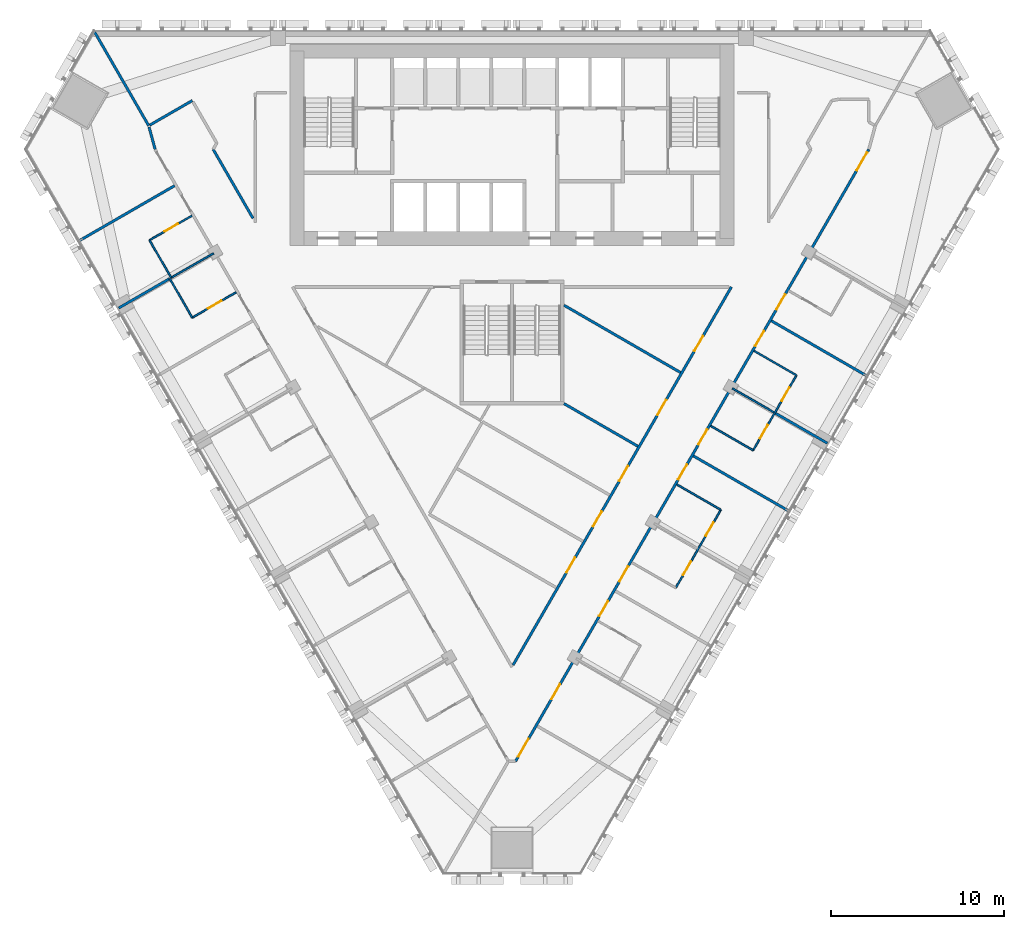
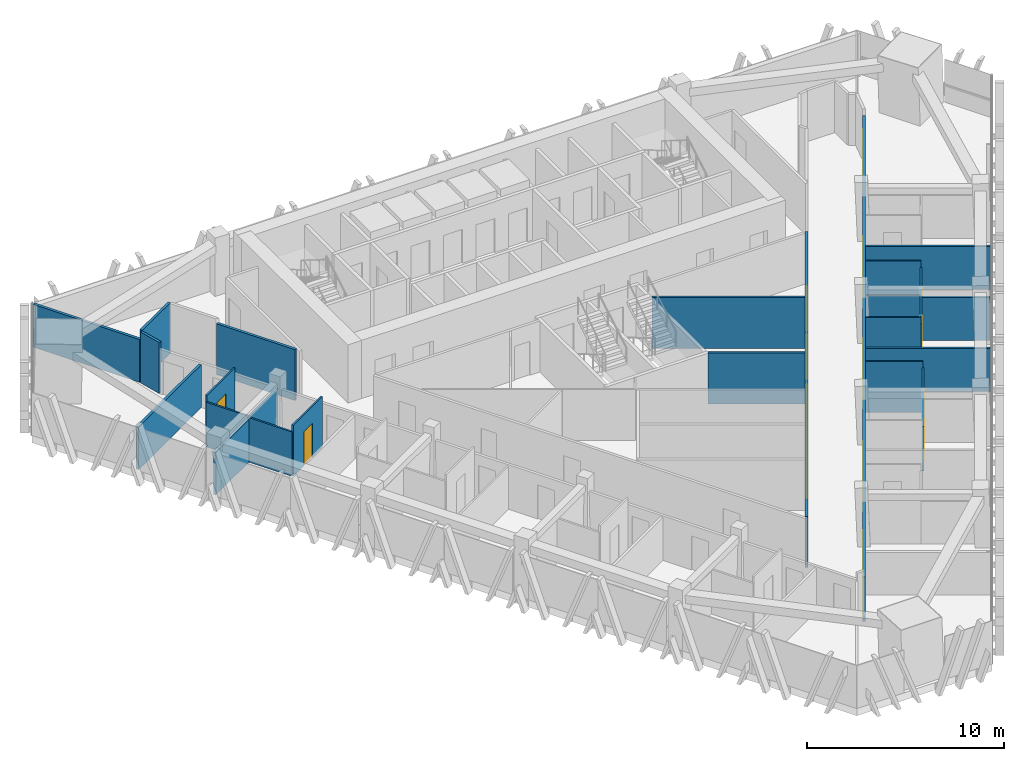
# One storey, part 10 of 16: 24 walls, 20 doors, 20 openings.
"""IFC4 building model written with IfcOpenShell, lengths in metres."""

from ifc_helpers import new_model, si_unit, direction, frame, frame_2d, origin, place, context, subcontext, project, spatial, rectangle, extrude, material, layer, layer_set, type_object, element, fill, save


model = new_model("IFC4")

# Units and contexts
model_context = context("Model", 3, precision=1e-05, world=origin(), true_north=direction((0.0, 1.0)))
body_context = subcontext(model_context, "Body", "Model", "MODEL_VIEW")
ifc_project = project(units=[si_unit("LENGTHUNIT", "METRE"), si_unit("AREAUNIT", "SQUARE_METRE"), si_unit("VOLUMEUNIT", "CUBIC_METRE"), si_unit("PLANEANGLEUNIT", "RADIAN"), si_unit("MASSUNIT", "GRAM", prefix="KILO")], contexts=[model_context])

# Site, building, storey
site_placement = place(None, origin())
site = spatial("IfcSite", under=ifc_project, at=site_placement, CompositionType="ELEMENT")
building_placement = place(site_placement, origin())
building = spatial("IfcBuilding", under=site, at=building_placement, Name="Altiplano Prism Tower", CompositionType="ELEMENT")
storey_placement = place(building_placement, frame((0.0, 0.0, 124.199951171875)))
storey = spatial("IfcBuildingStorey", under=building, at=storey_placement, Name="L31", CompositionType="ELEMENT", Elevation=124.199951171875)

# Wall
ifc_material_1 = material(Name="Plasterboard on steel stud", Category="steel")
ifc_layer_1 = layer(ifc_material_1, 0.10009765625)
ifc_layer_set_1 = layer_set([ifc_layer_1], Name="Plasterboard on steel stud")
wall_type_1 = type_object("IfcWallType", Name="Partition 100 unit", PredefinedType="PARTITIONING", material=ifc_layer_set_1)
wall_1_placement = place(storey_placement, frame((65.3408203125, 90.732177734375, 0.0), z_axis=(0.0, 0.0, 1.0), x_axis=(-0.500004234368, 0.866022959057, 0.0)))
element("IfcWall", 1, at=wall_1_placement, inside=storey, type_object=wall_type_1, Name="Partition P02 L31 036", PredefinedType="PARTITIONING", context=body_context, shape_type="SweptSolid", body=[
    extrude(rectangle(XDim=2.5, YDim=0.10009765625, at=frame_2d((1.25, 0.0))), origin(), (0.0, 0.0, 1.0), 2.75),
])

# Wall, opening, door
wall_2_placement = place(storey_placement, frame((64.0908203125, 92.897216796875, 0.0), z_axis=(0.0, 0.0, 1.0), x_axis=(0.866048868473, 0.499959355765, 0.0)))
wall_2 = element("IfcWall", 2, at=wall_2_placement, inside=storey, type_object=wall_type_1, Name="Partition P02 L31 037", PredefinedType="PARTITIONING", context=body_context, shape_type="SweptSolid", body=[
    extrude(rectangle(XDim=2.824951171875, YDim=0.10009765625, at=frame_2d((1.41259765625, 0.0))), origin(), (0.0, 0.0, 1.0), 3.150146484375),
])
opening_1_placement = place(wall_2_placement, frame((1.0, 0.0, 0.0)))
opening_1 = element("IfcOpeningElement", 3, at=opening_1_placement, cuts=wall_2, Name="Opening D1100", PredefinedType="OPENING", context=body_context, shape_type="SweptSolid", body=[
    extrude(rectangle(XDim=0.89990234375, YDim=2.10009765625, at=frame_2d((0.449951171875, 1.050048828125))), frame((0.0, 0.060546875, 0.0), z_axis=(0.0, -1.0, 0.0), x_axis=(1.0, 0.0, 0.0)), (0.0, 0.0, 1.0), 0.12109375),
])
ifc_material_2 = material(Name="Timber", Category="wood")
door_type_1 = type_object("IfcDoorType", Name="Ensuite door 900 x 2100", OperationType="NOTDEFINED", PredefinedType="NOTDEFINED", material=ifc_material_2)
door_1_placement = place(opening_1_placement, origin())
door_1 = element("IfcDoor", 4, at=door_1_placement, inside=storey, type_object=door_type_1, Name="Door D1100", OperationType="SINGLE_SWING_LEFT", OverallHeight=2.10009765625, OverallWidth=0.89990234375, PredefinedType="NOTDEFINED", context=body_context, shape_type="SweptSolid", body=[
    extrude(rectangle(XDim=0.89990234375, YDim=2.10009765625, at=frame_2d((0.449951171875, 1.050048828125))), frame((0.0, 0.02490234375, 0.0), z_axis=(0.0, -1.0, 0.0), x_axis=(1.0, 0.0, 0.0)), (0.0, 0.0, 1.0), 0.050048828125),
])
fill(opening_1, door_1)

wall_3_placement = place(storey_placement, frame((69.08740234375, 89.892822265625, 0.0), z_axis=(0.0, 0.0, 1.0), x_axis=(-0.866046596414, -0.499963291492, 0.0)))
wall_3 = element("IfcWall", 5, at=wall_3_placement, inside=storey, type_object=wall_type_1, Name="Partition P02 L31 040", PredefinedType="PARTITIONING", context=body_context, shape_type="SweptSolid", body=[
    extrude(rectangle(XDim=2.925048828125, YDim=0.10009765625, at=frame_2d((1.46240234375, 0.0))), origin(), (0.0, 0.0, 1.0), 3.150146484375),
])
opening_2_placement = place(wall_3_placement, frame((0.97509765625, 0.0, 0.0)))
opening_2 = element("IfcOpeningElement", 6, at=opening_2_placement, cuts=wall_3, Name="Opening D1102", PredefinedType="OPENING", context=body_context, shape_type="SweptSolid", body=[
    extrude(rectangle(XDim=0.89990234375, YDim=2.10009765625, at=frame_2d((0.449951171875, 1.050048828125))), frame((0.0, 0.060546875, 0.0), z_axis=(0.0, -1.0, 0.0), x_axis=(1.0, 0.0, 0.0)), (0.0, 0.0, 1.0), 0.12109375),
])
door_2_placement = place(opening_2_placement, origin())
door_2 = element("IfcDoor", 7, at=door_2_placement, inside=storey, type_object=door_type_1, Name="Door D1102", OperationType="SINGLE_SWING_LEFT", OverallHeight=2.10009765625, OverallWidth=0.89990234375, PredefinedType="NOTDEFINED", context=body_context, shape_type="SweptSolid", body=[
    extrude(rectangle(XDim=0.89990234375, YDim=2.10009765625, at=frame_2d((0.449951171875, 1.050048828125))), frame((0.0, 0.02490234375, 0.0), z_axis=(0.0, -1.0, 0.0), x_axis=(1.0, 0.0, 0.0)), (0.0, 0.0, 1.0), 0.050048828125),
])
fill(opening_2, door_2)

# Walls
wall_4_placement = place(storey_placement, frame((66.55419921875, 88.430419921875, 0.0), z_axis=(0.0, 0.0, 1.0), x_axis=(-0.499936506574, 0.866062058628, 0.0)))
element("IfcWall", 8, at=wall_4_placement, inside=storey, type_object=wall_type_1, Name="Partition P02 L31 041", PredefinedType="PARTITIONING", context=body_context, shape_type="SweptSolid", body=[
    extrude(rectangle(XDim=2.599853515625, YDim=0.10009765625, at=frame_2d((1.2998046875, 0.0))), origin(), (0.0, 0.0, 1.0), 2.75),
])
wall_5_placement = place(storey_placement, frame((94.5126953125, 78.807861328125, 0.0), z_axis=(0.0, 0.0, 1.0), x_axis=(0.865989585315, -0.500062034277, 0.0)))
element("IfcWall", 9, at=wall_5_placement, inside=storey, type_object=wall_type_1, Name="Partition P02 L31 069", PredefinedType="PARTITIONING", context=body_context, shape_type="SweptSolid", body=[
    extrude(rectangle(XDim=2.925048828125, YDim=0.10009765625, at=frame_2d((1.46240234375, 0.0))), origin(), (0.0, 0.0, 1.0), 3.150146484375),
])

# Wall, openings, doors
wall_6_placement = place(storey_placement, frame((97.045654296875, 77.34521484375, 0.0), z_axis=(0.0, 0.0, 1.0), x_axis=(-0.499992051641, -0.866029992723, 0.0)))
wall_6 = element("IfcWall", 10, at=wall_6_placement, inside=storey, type_object=wall_type_1, Name="Partition P02 L31 070", PredefinedType="PARTITIONING", context=body_context, shape_type="SweptSolid", body=[
    extrude(rectangle(XDim=5.19970703125, YDim=0.10009765625, at=frame_2d((2.599853515625, 0.0))), origin(), (0.0, 0.0, 1.0), 2.75),
])
opening_3_placement = place(wall_6_placement, frame((3.449951171875, 0.0, 0.0)))
opening_3 = element("IfcOpeningElement", 11, at=opening_3_placement, cuts=wall_6, Name="Opening D1119", PredefinedType="OPENING", context=body_context, shape_type="SweptSolid", body=[
    extrude(rectangle(XDim=0.89990234375, YDim=2.10009765625, at=frame_2d((0.449951171875, 1.050048828125))), frame((0.0, 0.060546875, 0.0), z_axis=(0.0, -1.0, 0.0), x_axis=(1.0, 0.0, 0.0)), (0.0, 0.0, 1.0), 0.12109375),
])
opening_4_placement = place(wall_6_placement, frame((0.85009765625, 0.0, 0.0)))
opening_4 = element("IfcOpeningElement", 12, at=opening_4_placement, cuts=wall_6, Name="Opening D1121", PredefinedType="OPENING", context=body_context, shape_type="SweptSolid", body=[
    extrude(rectangle(XDim=0.89990234375, YDim=2.10009765625, at=frame_2d((0.449951171875, 1.050048828125))), frame((0.0, 0.060546875, 0.0), z_axis=(0.0, -1.0, 0.0), x_axis=(1.0, 0.0, 0.0)), (0.0, 0.0, 1.0), 0.12109375),
])
door_3_placement = place(opening_3_placement, origin())
door_3 = element("IfcDoor", 13, at=door_3_placement, inside=storey, type_object=door_type_1, Name="Door D1119", OperationType="SINGLE_SWING_LEFT", OverallHeight=2.10009765625, OverallWidth=0.89990234375, PredefinedType="NOTDEFINED", context=body_context, shape_type="SweptSolid", body=[
    extrude(rectangle(XDim=0.89990234375, YDim=2.10009765625, at=frame_2d((0.449951171875, 1.050048828125))), frame((0.0, 0.02490234375, 0.0), z_axis=(0.0, -1.0, 0.0), x_axis=(1.0, 0.0, 0.0)), (0.0, 0.0, 1.0), 0.050048828125),
])
fill(opening_3, door_3)
door_4_placement = place(opening_4_placement, origin())
door_4 = element("IfcDoor", 14, at=door_4_placement, inside=storey, type_object=door_type_1, Name="Door D1121", OperationType="SINGLE_SWING_LEFT", OverallHeight=2.10009765625, OverallWidth=0.89990234375, PredefinedType="NOTDEFINED", context=body_context, shape_type="SweptSolid", body=[
    extrude(rectangle(XDim=0.89990234375, YDim=2.10009765625, at=frame_2d((0.449951171875, 1.050048828125))), frame((0.0, 0.02490234375, 0.0), z_axis=(0.0, -1.0, 0.0), x_axis=(1.0, 0.0, 0.0)), (0.0, 0.0, 1.0), 0.050048828125),
])
fill(opening_4, door_4)

# Walls
for number, where, z_axis, x_axis, name in (
    (15, (98.9091796875, 80.772705078125, 0.0), (0.0, 0.0, 1.0), (-0.866011447264, 0.500024172624, 0.0), "Partition P02 L31 072"),
    (16, (98.962646484375, 86.515380859375, 0.0), (0.0, 0.0, 1.0), (0.866048868473, -0.499959355765, 0.0), "Partition P02 L31 075"),
):
    element("IfcWall", number, at=place(storey_placement, frame(where, z_axis=z_axis, x_axis=x_axis)), inside=storey, type_object=wall_type_1, Name=name, PredefinedType="PARTITIONING", context=body_context, shape_type="SweptSolid", body=[
        extrude(rectangle(XDim=2.824951171875, YDim=0.10009765625, at=frame_2d((1.41259765625, 0.0))), origin(), (0.0, 0.0, 1.0), 3.150146484375),
    ])

# Wall, openings, doors
wall_7_placement = place(storey_placement, frame((101.4091796875, 85.10302734375, 0.0), z_axis=(0.0, 0.0, 1.0), x_axis=(-0.499983091616, -0.866035165624, 0.0)))
wall_7 = element("IfcWall", 17, at=wall_7_placement, inside=storey, type_object=wall_type_1, Name="Partition P02 L31 076", PredefinedType="PARTITIONING", context=body_context, shape_type="SweptSolid", body=[
    extrude(rectangle(XDim=5.000244140625, YDim=0.10009765625, at=frame_2d((2.5, 0.0))), origin(), (0.0, 0.0, 1.0), 2.75),
])
opening_5_placement = place(wall_7_placement, frame((3.300048828125, 0.0, 0.0)))
opening_5 = element("IfcOpeningElement", 18, at=opening_5_placement, cuts=wall_7, Name="Opening D1123", PredefinedType="OPENING", context=body_context, shape_type="SweptSolid", body=[
    extrude(rectangle(XDim=0.89990234375, YDim=2.10009765625, at=frame_2d((0.449951171875, 1.050048828125))), frame((0.0, 0.060546875, 0.0), z_axis=(0.0, -1.0, 0.0), x_axis=(1.0, 0.0, 0.0)), (0.0, 0.0, 1.0), 0.12109375),
])
opening_6_placement = place(wall_7_placement, frame((0.800048828125, 0.0, 0.0)))
opening_6 = element("IfcOpeningElement", 19, at=opening_6_placement, cuts=wall_7, Name="Opening D1125", PredefinedType="OPENING", context=body_context, shape_type="SweptSolid", body=[
    extrude(rectangle(XDim=0.89990234375, YDim=2.10009765625, at=frame_2d((0.449951171875, 1.050048828125))), frame((0.0, 0.060546875, 0.0), z_axis=(0.0, -1.0, 0.0), x_axis=(1.0, 0.0, 0.0)), (0.0, 0.0, 1.0), 0.12109375),
])
door_5_placement = place(opening_5_placement, origin())
door_5 = element("IfcDoor", 20, at=door_5_placement, inside=storey, type_object=door_type_1, Name="Door D1123", OperationType="SINGLE_SWING_RIGHT", OverallHeight=2.10009765625, OverallWidth=0.89990234375, PredefinedType="NOTDEFINED", context=body_context, shape_type="SweptSolid", body=[
    extrude(rectangle(XDim=0.89990234375, YDim=2.10009765625, at=frame_2d((0.449951171875, 1.050048828125))), frame((0.0, 0.02490234375, 0.0), z_axis=(0.0, -1.0, 0.0), x_axis=(1.0, 0.0, 0.0)), (0.0, 0.0, 1.0), 0.050048828125),
])
fill(opening_5, door_5)
door_6_placement = place(opening_6_placement, origin())
door_6 = element("IfcDoor", 21, at=door_6_placement, inside=storey, type_object=door_type_1, Name="Door D1125", OperationType="SINGLE_SWING_LEFT", OverallHeight=2.10009765625, OverallWidth=0.89990234375, PredefinedType="NOTDEFINED", context=body_context, shape_type="SweptSolid", body=[
    extrude(rectangle(XDim=0.89990234375, YDim=2.10009765625, at=frame_2d((0.449951171875, 1.050048828125))), frame((0.0, 0.02490234375, 0.0), z_axis=(0.0, -1.0, 0.0), x_axis=(1.0, 0.0, 0.0)), (0.0, 0.0, 1.0), 0.050048828125),
])
fill(opening_6, door_6)

# Walls
ifc_layer_2 = layer(ifc_material_1, 0.10009765625)
ifc_layer_set_2 = layer_set([ifc_layer_2], Name="Plasterboard on steel stud")
wall_type_2 = type_object("IfcWallType", Name="Partition 100 wet", PredefinedType="PARTITIONING", material=ifc_layer_set_2)
wall_8_placement = place(storey_placement, frame((65.323486328125, 90.72216796875, 0.0), z_axis=(0.0, 0.0, 1.0), x_axis=(0.866048401274, 0.499960165064, 0.0)))
element("IfcWall", 22, at=wall_8_placement, inside=storey, type_object=wall_type_2, Name="Partition P03 L31 039", PredefinedType="PARTITIONING", context=body_context, shape_type="SweptSolid", body=[
    extrude(rectangle(XDim=2.844970703125, YDim=0.10009765625, at=frame_2d((1.42236328125, 0.0))), origin(), (0.0, 0.0, 1.0), 2.75),
])
wall_9_placement = place(storey_placement, frame((100.11572265625, 82.962890625, 0.0), z_axis=(0.0, 0.0, 1.0), x_axis=(-0.866020020486, 0.50000932403, 0.0)))
element("IfcWall", 23, at=wall_9_placement, inside=storey, type_object=wall_type_2, Name="Partition P03 L31 074", PredefinedType="PARTITIONING", context=body_context, shape_type="SweptSolid", body=[
    extrude(rectangle(XDim=2.77490234375, YDim=0.10009765625, at=frame_2d((1.387451171875, 0.0))), origin(), (0.0, 0.0, 1.0), 2.75),
])

# Wall, openings, doors
ifc_layer_3 = layer(ifc_material_1, 0.14990234375)
ifc_layer_set_3 = layer_set([ifc_layer_3], Name="Plasterboard on steel stud")
wall_type_3 = type_object("IfcWallType", Name="Partition 150 corridor", PredefinedType="PARTITIONING", material=ifc_layer_set_3)
wall_10_placement = place(storey_placement, frame((97.65478515625, 90.199951171875, 0.0), z_axis=(0.0, 0.0, 1.0), x_axis=(-0.5000058613, -0.866022019735, 0.0)))
wall_10 = element("IfcWall", 24, at=wall_10_placement, inside=storey, type_object=wall_type_3, Name="Partition P06 L31 003", PredefinedType="PARTITIONING", context=body_context, shape_type="SweptSolid", body=[
    extrude(rectangle(XDim=25.179443359375, YDim=0.14990234375, at=frame_2d((12.58984375, 0.0))), origin(), (0.0, 0.0, 1.0), 3.150146484375),
])
opening_7_placement = place(wall_10_placement, frame((11.93896484375, 0.0, 0.0)))
opening_7 = element("IfcOpeningElement", 25, at=opening_7_placement, cuts=wall_10, Name="Opening D1096", PredefinedType="OPENING", context=body_context, shape_type="SweptSolid", body=[
    extrude(rectangle(XDim=1.0, YDim=2.10009765625, at=frame_2d((0.5, 1.050048828125))), frame((0.0, 0.08544921875, 0.0), z_axis=(0.0, -1.0, 0.0), x_axis=(1.0, 0.0, 0.0)), (0.0, 0.0, 1.0), 0.1708984375),
])
opening_8_placement = place(wall_10_placement, frame((7.51708984375, 0.0, 0.0)))
opening_8 = element("IfcOpeningElement", 26, at=opening_8_placement, cuts=wall_10, Name="Opening D1131", PredefinedType="OPENING", context=body_context, shape_type="SweptSolid", body=[
    extrude(rectangle(XDim=1.0, YDim=2.10009765625, at=frame_2d((0.5, 1.050048828125))), frame((0.0, 0.08544921875, 0.0), z_axis=(0.0, -1.0, 0.0), x_axis=(1.0, 0.0, 0.0)), (0.0, 0.0, 1.0), 0.1708984375),
])
opening_9_placement = place(wall_10_placement, frame((3.27099609375, 0.0, 0.0)))
opening_9 = element("IfcOpeningElement", 27, at=opening_9_placement, cuts=wall_10, Name="Opening D1132", PredefinedType="OPENING", context=body_context, shape_type="SweptSolid", body=[
    extrude(rectangle(XDim=1.0, YDim=2.10009765625, at=frame_2d((0.5, 1.050048828125))), frame((0.0, 0.08544921875, 0.0), z_axis=(0.0, -1.0, 0.0), x_axis=(1.0, 0.0, 0.0)), (0.0, 0.0, 1.0), 0.1708984375),
])
opening_10_placement = place(wall_10_placement, frame((14.949951171875, 0.0, 0.0)))
opening_10 = element("IfcOpeningElement", 28, at=opening_10_placement, cuts=wall_10, Name="Opening D1133", PredefinedType="OPENING", context=body_context, shape_type="SweptSolid", body=[
    extrude(rectangle(XDim=1.0, YDim=2.10009765625, at=frame_2d((0.5, 1.050048828125))), frame((0.0, 0.08544921875, 0.0), z_axis=(0.0, -1.0, 0.0), x_axis=(1.0, 0.0, 0.0)), (0.0, 0.0, 1.0), 0.1708984375),
])
opening_11_placement = place(wall_10_placement, frame((18.032958984375, 0.0, 0.0)))
opening_11 = element("IfcOpeningElement", 29, at=opening_11_placement, cuts=wall_10, Name="Opening D1134", PredefinedType="OPENING", context=body_context, shape_type="SweptSolid", body=[
    extrude(rectangle(XDim=1.0, YDim=2.10009765625, at=frame_2d((0.5, 1.050048828125))), frame((0.0, 0.08544921875, 0.0), z_axis=(0.0, -1.0, 0.0), x_axis=(1.0, 0.0, 0.0)), (0.0, 0.0, 1.0), 0.1708984375),
])
door_type_2 = type_object("IfcDoorType", Name="Room door 1000 x 2100", OperationType="NOTDEFINED", PredefinedType="NOTDEFINED", material=ifc_material_2)
door_7_placement = place(opening_9_placement, origin())
door_7 = element("IfcDoor", 30, at=door_7_placement, inside=storey, type_object=door_type_2, Name="Door D1132", OperationType="SINGLE_SWING_RIGHT", OverallHeight=2.10009765625, OverallWidth=1.0, PredefinedType="NOTDEFINED", context=body_context, shape_type="SweptSolid", body=[
    extrude(rectangle(XDim=1.0, YDim=2.10009765625, at=frame_2d((0.5, 1.050048828125))), frame((0.0, 0.02490234375, 0.0), z_axis=(0.0, -1.0, 0.0), x_axis=(1.0, 0.0, 0.0)), (0.0, 0.0, 1.0), 0.050048828125),
])
fill(opening_9, door_7)
door_8_placement = place(opening_10_placement, origin())
door_8 = element("IfcDoor", 31, at=door_8_placement, inside=storey, type_object=door_type_2, Name="Door D1133", OperationType="SINGLE_SWING_RIGHT", OverallHeight=2.10009765625, OverallWidth=1.0, PredefinedType="NOTDEFINED", context=body_context, shape_type="SweptSolid", body=[
    extrude(rectangle(XDim=1.0, YDim=2.10009765625, at=frame_2d((0.5, 1.050048828125))), frame((0.0, 0.02490234375, 0.0), z_axis=(0.0, -1.0, 0.0), x_axis=(1.0, 0.0, 0.0)), (0.0, 0.0, 1.0), 0.050048828125),
])
fill(opening_10, door_8)
door_type_3 = type_object("IfcDoorType", Name="Store door 1000 x 2100", OperationType="NOTDEFINED", PredefinedType="NOTDEFINED", material=ifc_material_2)
door_9_placement = place(opening_7_placement, origin())
door_9 = element("IfcDoor", 32, at=door_9_placement, inside=storey, type_object=door_type_3, Name="Door D1096", OperationType="SINGLE_SWING_LEFT", OverallHeight=2.10009765625, OverallWidth=1.0, PredefinedType="NOTDEFINED", context=body_context, shape_type="SweptSolid", body=[
    extrude(rectangle(XDim=1.0, YDim=2.10009765625, at=frame_2d((0.5, 1.050048828125))), frame((0.0, 0.02490234375, 0.0), z_axis=(0.0, -1.0, 0.0), x_axis=(1.0, 0.0, 0.0)), (0.0, 0.0, 1.0), 0.050048828125),
])
fill(opening_7, door_9)
door_10_placement = place(opening_8_placement, origin())
door_10 = element("IfcDoor", 33, at=door_10_placement, inside=storey, type_object=door_type_3, Name="Door D1131", OperationType="SINGLE_SWING_RIGHT", OverallHeight=2.10009765625, OverallWidth=1.0, PredefinedType="NOTDEFINED", context=body_context, shape_type="SweptSolid", body=[
    extrude(rectangle(XDim=1.0, YDim=2.10009765625, at=frame_2d((0.5, 1.050048828125))), frame((0.0, 0.02490234375, 0.0), z_axis=(0.0, -1.0, 0.0), x_axis=(1.0, 0.0, 0.0)), (0.0, 0.0, 1.0), 0.050048828125),
])
fill(opening_8, door_10)
door_11_placement = place(opening_11_placement, origin())
door_11 = element("IfcDoor", 34, at=door_11_placement, inside=storey, type_object=door_type_3, Name="Door D1134", OperationType="SINGLE_SWING_RIGHT", OverallHeight=2.10009765625, OverallWidth=1.0, PredefinedType="NOTDEFINED", context=body_context, shape_type="SweptSolid", body=[
    extrude(rectangle(XDim=1.0, YDim=2.10009765625, at=frame_2d((0.5, 1.050048828125))), frame((0.0, 0.02490234375, 0.0), z_axis=(0.0, -1.0, 0.0), x_axis=(1.0, 0.0, 0.0)), (0.0, 0.0, 1.0), 0.050048828125),
])
fill(opening_11, door_11)

# Wall
wall_11_placement = place(storey_placement, frame((64.0625, 99.429931640625, 0.0), z_axis=(0.0, 0.0, 1.0), x_axis=(0.261989498523, -0.965070724177, 0.0)))
element("IfcWall", 35, at=wall_11_placement, inside=storey, type_object=wall_type_3, Name="Partition P06 L31 004", PredefinedType="PARTITIONING", context=body_context, shape_type="SweptSolid", body=[
    extrude(rectangle(XDim=1.337158203125, YDim=0.14990234375, at=frame_2d((0.66845703125, 0.0))), origin(), (0.0, 0.0, 1.0), 3.150146484375),
])

# Wall, openings, doors
wall_12_placement = place(storey_placement, frame((85.208251953125, 62.842041015625, 0.0), z_axis=(0.0, 0.0, 1.0), x_axis=(0.499999338616, 0.866025785634, 0.0)))
wall_12 = element("IfcWall", 36, at=wall_12_placement, inside=storey, type_object=wall_type_3, Name="Partition P06 L31 007", PredefinedType="PARTITIONING", context=body_context, shape_type="SweptSolid", body=[
    extrude(rectangle(XDim=40.7578125, YDim=0.14990234375, at=frame_2d((20.37890625, 0.0))), origin(), (0.0, 0.0, 1.0), 2.75),
])
opening_12_placement = place(wall_12_placement, frame((0.294921875, 0.0, 0.0)))
opening_12 = element("IfcOpeningElement", 37, at=opening_12_placement, cuts=wall_12, Name="Opening D1114", PredefinedType="OPENING", context=body_context, shape_type="SweptSolid", body=[
    extrude(rectangle(XDim=1.199951171875, YDim=2.10009765625, at=frame_2d((0.60009765625, 1.050048828125))), frame((0.0, 0.08544921875, 0.0), z_axis=(0.0, -1.0, 0.0), x_axis=(1.0, 0.0, 0.0)), (0.0, 0.0, 1.0), 0.1708984375),
])
opening_13_placement = place(wall_12_placement, frame((4.12890625, 0.0, 0.0)))
opening_13 = element("IfcOpeningElement", 38, at=opening_13_placement, cuts=wall_12, Name="Opening D1115", PredefinedType="OPENING", context=body_context, shape_type="SweptSolid", body=[
    extrude(rectangle(XDim=1.0, YDim=2.10009765625, at=frame_2d((0.5, 1.050048828125))), frame((0.0, 0.08544921875, 0.0), z_axis=(0.0, -1.0, 0.0), x_axis=(1.0, 0.0, 0.0)), (0.0, 0.0, 1.0), 0.1708984375),
])
opening_14_placement = place(wall_12_placement, frame((9.658935546875, 0.0, 0.0)))
opening_14 = element("IfcOpeningElement", 39, at=opening_14_placement, cuts=wall_12, Name="Opening D1116", PredefinedType="OPENING", context=body_context, shape_type="SweptSolid", body=[
    extrude(rectangle(XDim=1.0, YDim=2.10009765625, at=frame_2d((0.5, 1.050048828125))), frame((0.0, 0.08544921875, 0.0), z_axis=(0.0, -1.0, 0.0), x_axis=(1.0, 0.0, 0.0)), (0.0, 0.0, 1.0), 0.1708984375),
])
opening_15_placement = place(wall_12_placement, frame((11.98388671875, 0.0, 0.0)))
opening_15 = element("IfcOpeningElement", 40, at=opening_15_placement, cuts=wall_12, Name="Opening D1118", PredefinedType="OPENING", context=body_context, shape_type="SweptSolid", body=[
    extrude(rectangle(XDim=1.0, YDim=2.10009765625, at=frame_2d((0.5, 1.050048828125))), frame((0.0, 0.08544921875, 0.0), z_axis=(0.0, -1.0, 0.0), x_axis=(1.0, 0.0, 0.0)), (0.0, 0.0, 1.0), 0.1708984375),
])
opening_16_placement = place(wall_12_placement, frame((18.77392578125, 0.0, 0.0)))
opening_16 = element("IfcOpeningElement", 41, at=opening_16_placement, cuts=wall_12, Name="Opening D1120", PredefinedType="OPENING", context=body_context, shape_type="SweptSolid", body=[
    extrude(rectangle(XDim=1.0, YDim=2.10009765625, at=frame_2d((0.5, 1.050048828125))), frame((0.0, 0.08544921875, 0.0), z_axis=(0.0, -1.0, 0.0), x_axis=(1.0, 0.0, 0.0)), (0.0, 0.0, 1.0), 0.1708984375),
])
opening_17_placement = place(wall_12_placement, frame((21.09912109375, 0.0, 0.0)))
opening_17 = element("IfcOpeningElement", 42, at=opening_17_placement, cuts=wall_12, Name="Opening D1122", PredefinedType="OPENING", context=body_context, shape_type="SweptSolid", body=[
    extrude(rectangle(XDim=1.0, YDim=2.10009765625, at=frame_2d((0.5, 1.050048828125))), frame((0.0, 0.08544921875, 0.0), z_axis=(0.0, -1.0, 0.0), x_axis=(1.0, 0.0, 0.0)), (0.0, 0.0, 1.0), 0.1708984375),
])
opening_18_placement = place(wall_12_placement, frame((27.658935546875, 0.0, 0.0)))
opening_18 = element("IfcOpeningElement", 43, at=opening_18_placement, cuts=wall_12, Name="Opening D1124", PredefinedType="OPENING", context=body_context, shape_type="SweptSolid", body=[
    extrude(rectangle(XDim=1.0, YDim=2.10009765625, at=frame_2d((0.5, 1.050048828125))), frame((0.0, 0.08544921875, 0.0), z_axis=(0.0, -1.0, 0.0), x_axis=(1.0, 0.0, 0.0)), (0.0, 0.0, 1.0), 0.1708984375),
])
opening_19_placement = place(wall_12_placement, frame((30.09912109375, 0.0, 0.0)))
opening_19 = element("IfcOpeningElement", 44, at=opening_19_placement, cuts=wall_12, Name="Opening D1126", PredefinedType="OPENING", context=body_context, shape_type="SweptSolid", body=[
    extrude(rectangle(XDim=1.0, YDim=2.10009765625, at=frame_2d((0.5, 1.050048828125))), frame((0.0, 0.08544921875, 0.0), z_axis=(0.0, -1.0, 0.0), x_axis=(1.0, 0.0, 0.0)), (0.0, 0.0, 1.0), 0.1708984375),
])
opening_20_placement = place(wall_12_placement, frame((39.35791015625, 0.0, 0.0)))
opening_20 = element("IfcOpeningElement", 45, at=opening_20_placement, cuts=wall_12, Name="Opening D1128", PredefinedType="OPENING", context=body_context, shape_type="SweptSolid", body=[
    extrude(rectangle(XDim=1.199951171875, YDim=2.10009765625, at=frame_2d((0.60009765625, 1.050048828125))), frame((0.0, 0.08544921875, 0.0), z_axis=(0.0, -1.0, 0.0), x_axis=(1.0, 0.0, 0.0)), (0.0, 0.0, 1.0), 0.1708984375),
])
door_type_4 = type_object("IfcDoorType", Name="Bedroom entrance door 1000 x 2100", OperationType="NOTDEFINED", PredefinedType="NOTDEFINED", material=ifc_material_2)
door_12_placement = place(opening_14_placement, origin())
door_12 = element("IfcDoor", 46, at=door_12_placement, inside=storey, type_object=door_type_4, Name="Door D1116", OperationType="SINGLE_SWING_RIGHT", OverallHeight=2.10009765625, OverallWidth=1.0, PredefinedType="NOTDEFINED", context=body_context, shape_type="SweptSolid", body=[
    extrude(rectangle(XDim=1.0, YDim=2.10009765625, at=frame_2d((0.5, 1.050048828125))), frame((0.0, 0.02490234375, 0.0), z_axis=(0.0, -1.0, 0.0), x_axis=(1.0, 0.0, 0.0)), (0.0, 0.0, 1.0), 0.050048828125),
])
fill(opening_14, door_12)
door_13_placement = place(opening_15_placement, origin())
door_13 = element("IfcDoor", 47, at=door_13_placement, inside=storey, type_object=door_type_4, Name="Door D1118", OperationType="SINGLE_SWING_RIGHT", OverallHeight=2.10009765625, OverallWidth=1.0, PredefinedType="NOTDEFINED", context=body_context, shape_type="SweptSolid", body=[
    extrude(rectangle(XDim=1.0, YDim=2.10009765625, at=frame_2d((0.5, 1.050048828125))), frame((0.0, 0.02490234375, 0.0), z_axis=(0.0, -1.0, 0.0), x_axis=(1.0, 0.0, 0.0)), (0.0, 0.0, 1.0), 0.050048828125),
])
fill(opening_15, door_13)
door_14_placement = place(opening_16_placement, origin())
door_14 = element("IfcDoor", 48, at=door_14_placement, inside=storey, type_object=door_type_4, Name="Door D1120", OperationType="SINGLE_SWING_LEFT", OverallHeight=2.10009765625, OverallWidth=1.0, PredefinedType="NOTDEFINED", context=body_context, shape_type="SweptSolid", body=[
    extrude(rectangle(XDim=1.0, YDim=2.10009765625, at=frame_2d((0.5, 1.050048828125))), frame((0.0, 0.02490234375, 0.0), z_axis=(0.0, -1.0, 0.0), x_axis=(1.0, 0.0, 0.0)), (0.0, 0.0, 1.0), 0.050048828125),
])
fill(opening_16, door_14)
door_15_placement = place(opening_17_placement, origin())
door_15 = element("IfcDoor", 49, at=door_15_placement, inside=storey, type_object=door_type_4, Name="Door D1122", OperationType="SINGLE_SWING_RIGHT", OverallHeight=2.10009765625, OverallWidth=1.0, PredefinedType="NOTDEFINED", context=body_context, shape_type="SweptSolid", body=[
    extrude(rectangle(XDim=1.0, YDim=2.10009765625, at=frame_2d((0.5, 1.050048828125))), frame((0.0, 0.02490234375, 0.0), z_axis=(0.0, -1.0, 0.0), x_axis=(1.0, 0.0, 0.0)), (0.0, 0.0, 1.0), 0.050048828125),
])
fill(opening_17, door_15)
door_16_placement = place(opening_18_placement, origin())
door_16 = element("IfcDoor", 50, at=door_16_placement, inside=storey, type_object=door_type_4, Name="Door D1124", OperationType="SINGLE_SWING_LEFT", OverallHeight=2.10009765625, OverallWidth=1.0, PredefinedType="NOTDEFINED", context=body_context, shape_type="SweptSolid", body=[
    extrude(rectangle(XDim=1.0, YDim=2.10009765625, at=frame_2d((0.5, 1.050048828125))), frame((0.0, 0.02490234375, 0.0), z_axis=(0.0, -1.0, 0.0), x_axis=(1.0, 0.0, 0.0)), (0.0, 0.0, 1.0), 0.050048828125),
])
fill(opening_18, door_16)
door_17_placement = place(opening_19_placement, origin())
door_17 = element("IfcDoor", 51, at=door_17_placement, inside=storey, type_object=door_type_4, Name="Door D1126", OperationType="SINGLE_SWING_LEFT", OverallHeight=2.10009765625, OverallWidth=1.0, PredefinedType="NOTDEFINED", context=body_context, shape_type="SweptSolid", body=[
    extrude(rectangle(XDim=1.0, YDim=2.10009765625, at=frame_2d((0.5, 1.050048828125))), frame((0.0, 0.02490234375, 0.0), z_axis=(0.0, -1.0, 0.0), x_axis=(1.0, 0.0, 0.0)), (0.0, 0.0, 1.0), 0.050048828125),
])
fill(opening_19, door_17)
door_18_placement = place(opening_13_placement, origin())
door_18 = element("IfcDoor", 52, at=door_18_placement, inside=storey, type_object=door_type_2, Name="Door D1115", OperationType="SINGLE_SWING_LEFT", OverallHeight=2.10009765625, OverallWidth=1.0, PredefinedType="NOTDEFINED", context=body_context, shape_type="SweptSolid", body=[
    extrude(rectangle(XDim=1.0, YDim=2.10009765625, at=frame_2d((0.5, 1.050048828125))), frame((0.0, 0.02490234375, 0.0), z_axis=(0.0, -1.0, 0.0), x_axis=(1.0, 0.0, 0.0)), (0.0, 0.0, 1.0), 0.050048828125),
])
fill(opening_13, door_18)
door_type_5 = type_object("IfcDoorType", Name="Shared room door 1200 x 2100", OperationType="NOTDEFINED", PredefinedType="NOTDEFINED", material=ifc_material_2)
door_19_placement = place(opening_12_placement, origin())
door_19 = element("IfcDoor", 53, at=door_19_placement, inside=storey, type_object=door_type_5, Name="Door D1114", OperationType="SINGLE_SWING_LEFT", OverallHeight=2.10009765625, OverallWidth=1.199951171875, PredefinedType="NOTDEFINED", context=body_context, shape_type="SweptSolid", body=[
    extrude(rectangle(XDim=1.199951171875, YDim=2.10009765625, at=frame_2d((0.60009765625, 1.050048828125))), frame((0.0, 0.02490234375, 0.0), z_axis=(0.0, -1.0, 0.0), x_axis=(1.0, 0.0, 0.0)), (0.0, 0.0, 1.0), 0.050048828125),
])
fill(opening_12, door_19)
door_20_placement = place(opening_20_placement, origin())
door_20 = element("IfcDoor", 54, at=door_20_placement, inside=storey, type_object=door_type_5, Name="Door D1128", OperationType="SINGLE_SWING_LEFT", OverallHeight=2.10009765625, OverallWidth=1.199951171875, PredefinedType="NOTDEFINED", context=body_context, shape_type="SweptSolid", body=[
    extrude(rectangle(XDim=1.199951171875, YDim=2.10009765625, at=frame_2d((0.60009765625, 1.050048828125))), frame((0.0, 0.02490234375, 0.0), z_axis=(0.0, -1.0, 0.0), x_axis=(1.0, 0.0, 0.0)), (0.0, 0.0, 1.0), 0.050048828125),
])
fill(opening_20, door_20)

# Walls
wall_13_placement = place(storey_placement, frame((70.06005859375, 94.158203125, 0.0), z_axis=(0.0, 0.0, 1.0), x_axis=(-0.500005941123, 0.866021973648, 0.0)))
element("IfcWall", 55, at=wall_13_placement, inside=storey, type_object=wall_type_3, Name="Partition P06 L31 011", PredefinedType="PARTITIONING", context=body_context, shape_type="SweptSolid", body=[
    extrude(rectangle(XDim=4.59716796875, YDim=0.14990234375, at=frame_2d((2.298583984375, 0.0))), origin(), (0.0, 0.0, 1.0), 3.150146484375),
])
wall_14_placement = place(storey_placement, frame((66.55517578125, 100.949951171875, 0.0), z_axis=(0.0, 0.0, 1.0), x_axis=(-0.866048868473, -0.499959355765, 0.0)))
element("IfcWall", 56, at=wall_14_placement, inside=storey, type_object=wall_type_3, Name="Partition P06 L31 014", PredefinedType="PARTITIONING", context=body_context, shape_type="SweptSolid", body=[
    extrude(rectangle(XDim=2.824951171875, YDim=0.14990234375, at=frame_2d((1.41259765625, 0.0))), origin(), (0.0, 0.0, 1.0), 3.150146484375),
])
ifc_layer_4 = layer(ifc_material_1, 0.14990234375)
ifc_layer_set_4 = layer_set([ifc_layer_4], Name="Plasterboard on steel stud")
wall_type_4 = type_object("IfcWallType", Name="Partition 150 party", PredefinedType="PARTITIONING", material=ifc_layer_set_4)
wall_15_placement = place(storey_placement, frame((92.261962890625, 81.009521484375, 0.0), z_axis=(0.0, 0.0, 1.0), x_axis=(-0.866021185894, 0.500007305529, 0.0)))
element("IfcWall", 57, at=wall_15_placement, inside=storey, type_object=wall_type_4, Name="Partition P01 L31 031", PredefinedType="PARTITIONING", context=body_context, shape_type="SweptSolid", body=[
    extrude(rectangle(XDim=4.92138671875, YDim=0.14990234375, at=frame_2d((2.460693359375, 0.0))), origin(), (0.0, 0.0, 1.0), 3.150146484375),
])
wall_16_placement = place(storey_placement, frame((60.042236328125, 92.869140625, 0.0), z_axis=(0.0, 0.0, 1.0), x_axis=(0.866025401434, 0.500000004071, 0.0)))
element("IfcWall", 58, at=wall_16_placement, inside=storey, type_object=wall_type_4, Name="Partition P01 L31 034", PredefinedType="PARTITIONING", context=body_context, shape_type="SweptSolid", body=[
    extrude(rectangle(XDim=6.34521484375, YDim=0.14990234375, at=frame_2d((3.172607421875, 0.0))), origin(), (0.0, 0.0, 1.0), 2.650146484375),
])
wall_17_placement = place(storey_placement, frame((64.043701171875, 99.5, 0.0), z_axis=(0.0, 0.0, 1.0), x_axis=(-0.500004896655, 0.866022576681, 0.0)))
element("IfcWall", 59, at=wall_17_placement, inside=storey, type_object=wall_type_4, Name="Partition P01 L31 035", PredefinedType="PARTITIONING", context=body_context, shape_type="SweptSolid", body=[
    extrude(rectangle(XDim=6.2353515625, YDim=0.14990234375, at=frame_2d((3.11767578125, 0.0))), origin(), (0.0, 0.0, 1.0), 2.650146484375),
])
wall_18_placement = place(storey_placement, frame((62.309814453125, 88.982177734375, 0.0), z_axis=(0.0, 0.0, 1.0), x_axis=(0.866038511948, 0.499977295307, 0.0)))
element("IfcWall", 60, at=wall_18_placement, inside=storey, type_object=wall_type_4, Name="Partition P01 L31 038", PredefinedType="PARTITIONING", context=body_context, shape_type="SweptSolid", body=[
    extrude(rectangle(XDim=3.400146484375, YDim=0.14990234375, at=frame_2d((1.7001953125, 0.0))), origin(), (0.0, 0.0, 1.0), 2.650146484375),
])
wall_19_placement = place(storey_placement, frame((100.957763671875, 77.28076171875, 0.0), z_axis=(0.0, 0.0, 1.0), x_axis=(-0.866042062017, 0.499971145986, 0.0)))
element("IfcWall", 61, at=wall_19_placement, inside=storey, type_object=wall_type_4, Name="Partition P01 L31 071", PredefinedType="PARTITIONING", context=body_context, shape_type="SweptSolid", body=[
    extrude(rectangle(XDim=6.344970703125, YDim=0.14990234375, at=frame_2d((3.17236328125, 0.0))), origin(), (0.0, 0.0, 1.0), 2.650146484375),
])
wall_20_placement = place(storey_placement, frame((103.190185546875, 81.187744140625, 0.0), z_axis=(0.0, 0.0, 1.0), x_axis=(-0.866013532718, 0.500020560727, 0.0)))
element("IfcWall", 62, at=wall_20_placement, inside=storey, type_object=wall_type_4, Name="Partition P01 L31 073", PredefinedType="PARTITIONING", context=body_context, shape_type="SweptSolid", body=[
    extrude(rectangle(XDim=3.449951171875, YDim=0.14990234375, at=frame_2d((1.72509765625, 0.0))), origin(), (0.0, 0.0, 1.0), 2.650146484375),
])
wall_21_placement = place(storey_placement, frame((105.457763671875, 85.074951171875, 0.0), z_axis=(0.0, 0.0, 1.0), x_axis=(-0.866025401434, 0.500000004071, 0.0)))
element("IfcWall", 63, at=wall_21_placement, inside=storey, type_object=wall_type_4, Name="Partition P01 L31 077", PredefinedType="PARTITIONING", context=body_context, shape_type="SweptSolid", body=[
    extrude(rectangle(XDim=6.34521484375, YDim=0.14990234375, at=frame_2d((3.172607421875, 0.0))), origin(), (0.0, 0.0, 1.0), 2.650146484375),
])
wall_22_placement = place(storey_placement, frame((94.718994140625, 85.265380859375, 0.0), z_axis=(0.0, 0.0, 1.0), x_axis=(-0.866015276346, 0.500017540828, 0.0)))
element("IfcWall", 64, at=wall_22_placement, inside=storey, type_object=wall_type_4, Name="Partition P01 L31 082", PredefinedType="PARTITIONING", context=body_context, shape_type="SweptSolid", body=[
    extrude(rectangle(XDim=7.758544921875, YDim=0.14990234375, at=frame_2d((3.87939453125, 0.0))), origin(), (0.0, 0.0, 1.0), 3.150146484375),
])

save(model, "model.ifc")
